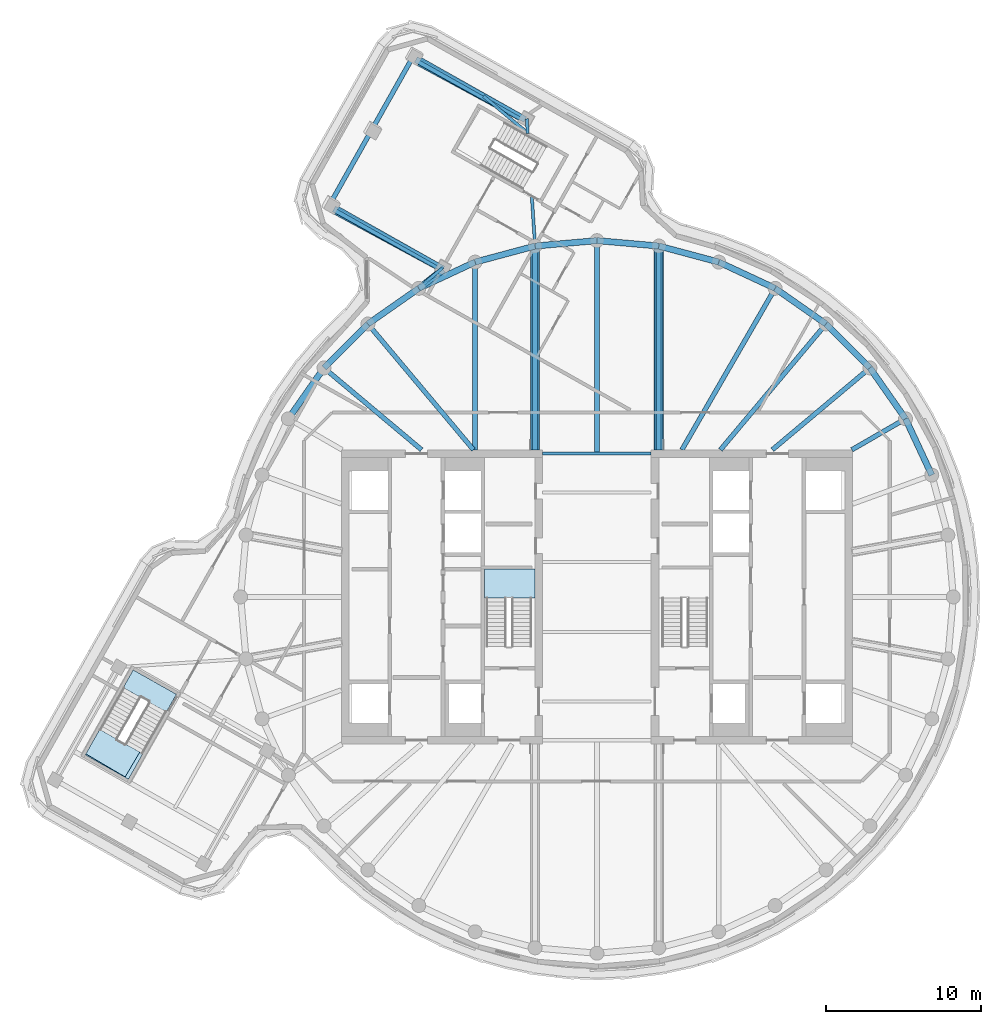
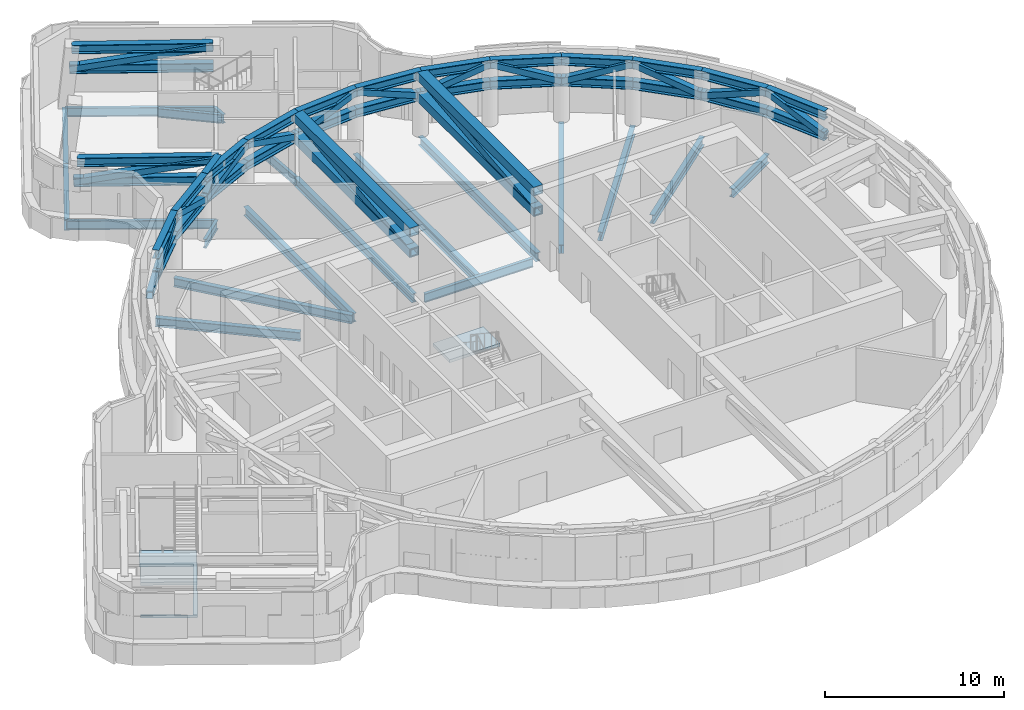
# One storey, part 3 of 15: 52 members, 19 beams, 3 slabs, 2 elements without a shape of their own.
"""IFC4 building model written with IfcOpenShell, lengths in metres."""

from ifc_helpers import new_model, si_unit, direction, frame, origin, origin_2d, place, context, subcontext, project, spatial, polyline, hollow_rectangle, i_section, outline, extrude, material, layer, layer_set, material_profile, profile_set, type_object, element, aggregate, save


model = new_model("IFC4")

# Units and contexts
model_context = context("Model", 3, precision=1e-05, world=origin(), true_north=direction((0.0, 1.0)))
body_context = subcontext(model_context, "Body", "Model", "MODEL_VIEW")
ifc_project = project(units=[si_unit("LENGTHUNIT", "METRE"), si_unit("AREAUNIT", "SQUARE_METRE"), si_unit("VOLUMEUNIT", "CUBIC_METRE"), si_unit("PLANEANGLEUNIT", "RADIAN"), si_unit("MASSUNIT", "GRAM", prefix="KILO")], contexts=[model_context])

# Site, building, storey
site_placement = place(None, origin())
site = spatial("IfcSite", under=ifc_project, at=site_placement, CompositionType="ELEMENT")
building_placement = place(site_placement, origin())
building = spatial("IfcBuilding", under=site, at=building_placement, Name="Tamarind Cross Interchange Tower", CompositionType="ELEMENT")
storey_placement = place(building_placement, frame((0.0, 0.0, 252.300048828125)))
storey = spatial("IfcBuildingStorey", under=building, at=storey_placement, Name="L64", CompositionType="ELEMENT", Elevation=252.300048828125)

# Beams
ifc_material_1 = material(Name="Steel Q355B", Category="steel")
ifc_material_profile_1 = material_profile(ifc_material_1, i_section(OverallWidth=0.302001953125, OverallDepth=0.593994140625, WebThickness=0.013916015625, FlangeThickness=0.02294921875, FilletRadius=0.01806640625, at=origin_2d()), Name="HM 594x302x14x23")
ifc_profile_set_1 = profile_set([ifc_material_profile_1], Name="Steel Q355B")
beam_type_1 = type_object("IfcBeamType", Name="Composite beam HM 594x302x14x23 Q355B", PredefinedType="BEAM", material=ifc_profile_set_1)
beam_1_placement = place(storey_placement, frame((19.918701171875, 11.5, -0.47705078125), z_axis=(-0.866026010844, -0.49999894854, 0.0), x_axis=(0.49999894854, -0.866026010844, 0.0)))
element("IfcBeam", 1, at=beam_1_placement, inside=storey, type_object=beam_type_1, Name="Beam HH03", PredefinedType="BEAM", context=body_context, shape_type="SweptSolid", body=[
    extrude(i_section(OverallWidth=0.302001953125, OverallDepth=0.593994140625, WebThickness=0.013916015625, FlangeThickness=0.02294921875, FilletRadius=0.01806640625, at=origin_2d()), origin(), (0.0, 0.0, 1.0), 4.0),
])
beam_2_placement = place(storey_placement, frame((17.619140625, 14.7841796875, -0.47705078125), z_axis=(-0.766040580814, -0.642792212574, 0.0), x_axis=(0.642792212574, -0.766040580814, 0.0)))
element("IfcBeam", 2, at=beam_2_placement, inside=storey, type_object=beam_type_1, Name="Beam HH04", PredefinedType="BEAM", context=body_context, shape_type="SweptSolid", body=[
    extrude(i_section(OverallWidth=0.302001953125, OverallDepth=0.593994140625, WebThickness=0.013916015625, FlangeThickness=0.02294921875, FilletRadius=0.01806640625, at=origin_2d()), origin(), (0.0, 0.0, 1.0), 8.220703125),
])
beam_3_placement = place(storey_placement, frame((14.7841796875, 17.619140625, -0.47705078125), z_axis=(-0.642786293979, -0.766045547127, 0.0), x_axis=(0.766045547127, -0.642786293979, 0.0)))
element("IfcBeam", 3, at=beam_3_placement, inside=storey, type_object=beam_type_1, Name="Beam HH05", PredefinedType="BEAM", context=body_context, shape_type="SweptSolid", body=[
    extrude(i_section(OverallWidth=0.302001953125, OverallDepth=0.593994140625, WebThickness=0.013916015625, FlangeThickness=0.02294921875, FilletRadius=0.01806640625, at=origin_2d()), origin(), (0.0, 0.0, 1.0), 10.598876953125),
])
beam_4_placement = place(storey_placement, frame((11.5, 19.918701171875, -0.47705078125), z_axis=(-0.499993565836, -0.866029118519, 0.0), x_axis=(0.866029118519, -0.499993565836, 0.0)))
element("IfcBeam", 4, at=beam_4_placement, inside=storey, type_object=beam_type_1, Name="Beam HH06", PredefinedType="BEAM", context=body_context, shape_type="SweptSolid", body=[
    extrude(i_section(OverallWidth=0.302001953125, OverallDepth=0.593994140625, WebThickness=0.013916015625, FlangeThickness=0.02294921875, FilletRadius=0.01806640625, at=origin_2d()), origin(), (0.0, 0.0, 1.0), 12.030517578125),
])
beam_5_placement = place(storey_placement, frame((3.993896484375, 22.650634765625, -0.47705078125), z_axis=(0.0, -1.0, 0.0), x_axis=(1.0, 0.0, 0.0)))
element("IfcBeam", 5, at=beam_5_placement, inside=storey, type_object=beam_type_1, Name="Beam HH08", PredefinedType="BEAM", context=body_context, shape_type="SweptSolid", body=[
    extrude(i_section(OverallWidth=0.302001953125, OverallDepth=0.593994140625, WebThickness=0.013916015625, FlangeThickness=0.02294921875, FilletRadius=0.01806640625, at=origin_2d()), origin(), (0.0, 0.0, 1.0), 13.150634765625),
])
beam_6_placement = place(storey_placement, frame((0.0, 23.0, -0.47705078125), z_axis=(0.0, -1.0, 0.0), x_axis=(1.0, 0.0, 0.0)))
element("IfcBeam", 6, at=beam_6_placement, inside=storey, type_object=beam_type_1, Name="Beam HH09", PredefinedType="BEAM", context=body_context, shape_type="SweptSolid", body=[
    extrude(i_section(OverallWidth=0.302001953125, OverallDepth=0.593994140625, WebThickness=0.013916015625, FlangeThickness=0.02294921875, FilletRadius=0.01806640625, at=origin_2d()), origin(), (0.0, 0.0, 1.0), 13.75),
])
beam_7_placement = place(storey_placement, frame((-3.993896484375, 22.650634765625, -0.47705078125), z_axis=(0.0, -1.0, 0.0), x_axis=(1.0, 0.0, 0.0)))
element("IfcBeam", 7, at=beam_7_placement, inside=storey, type_object=beam_type_1, Name="Beam HH10", PredefinedType="BEAM", context=body_context, shape_type="SweptSolid", body=[
    extrude(i_section(OverallWidth=0.302001953125, OverallDepth=0.593994140625, WebThickness=0.013916015625, FlangeThickness=0.02294921875, FilletRadius=0.01806640625, at=origin_2d()), origin(), (0.0, 0.0, 1.0), 13.150634765625),
])
beam_8_placement = place(storey_placement, frame((-7.866455078125, 21.613037109375, -0.47705078125), z_axis=(0.0, -1.0, 0.0), x_axis=(1.0, 0.0, 0.0)))
element("IfcBeam", 8, at=beam_8_placement, inside=storey, type_object=beam_type_1, Name="Beam HH11", PredefinedType="BEAM", context=body_context, shape_type="SweptSolid", body=[
    extrude(i_section(OverallWidth=0.302001953125, OverallDepth=0.593994140625, WebThickness=0.013916015625, FlangeThickness=0.02294921875, FilletRadius=0.01806640625, at=origin_2d()), origin(), (0.0, 0.0, 1.0), 12.113037109375),
])
beam_9_placement = place(storey_placement, frame((-14.7841796875, 17.619140625, -0.47705078125), z_axis=(0.642786293979, -0.766045547127, 0.0), x_axis=(0.766045547127, 0.642786293979, 0.0)))
element("IfcBeam", 9, at=beam_9_placement, inside=storey, type_object=beam_type_1, Name="Beam HH13", PredefinedType="BEAM", context=body_context, shape_type="SweptSolid", body=[
    extrude(i_section(OverallWidth=0.302001953125, OverallDepth=0.593994140625, WebThickness=0.013916015625, FlangeThickness=0.02294921875, FilletRadius=0.01806640625, at=origin_2d()), origin(), (0.0, 0.0, 1.0), 10.598876953125),
])
beam_10_placement = place(storey_placement, frame((-17.619140625, 14.7841796875, -0.47705078125), z_axis=(0.766040580814, -0.642792212574, 0.0), x_axis=(0.642792212574, 0.766040580814, 0.0)))
element("IfcBeam", 10, at=beam_10_placement, inside=storey, type_object=beam_type_1, Name="Beam HH14", PredefinedType="BEAM", context=body_context, shape_type="SweptSolid", body=[
    extrude(i_section(OverallWidth=0.302001953125, OverallDepth=0.593994140625, WebThickness=0.013916015625, FlangeThickness=0.02294921875, FilletRadius=0.01806640625, at=origin_2d()), origin(), (0.0, 0.0, 1.0), 8.220703125),
])
ifc_material_profile_2 = material_profile(ifc_material_1, i_section(OverallWidth=0.198974609375, OverallDepth=0.595947265625, WebThickness=0.010009765625, FlangeThickness=0.014892578125, FilletRadius=0.012939453125, at=origin_2d()), Name="HN 596x199x10x15")
ifc_profile_set_2 = profile_set([ifc_material_profile_2], Name="Steel Q355B")
beam_type_2 = type_object("IfcBeamType", Name="Composite beam HN 596x199x10x15 Q355B", PredefinedType="BEAM", material=ifc_profile_set_2)
beam_11_placement = place(storey_placement, frame((-3.5, 9.25, -0.47802734375), z_axis=(1.0, 0.0, 0.0), x_axis=(0.0, 1.0, 0.0)))
element("IfcBeam", 11, at=beam_11_placement, inside=storey, type_object=beam_type_2, Name="Beam G9.25", PredefinedType="BEAM", context=body_context, shape_type="SweptSolid", body=[
    extrude(i_section(OverallWidth=0.198974609375, OverallDepth=0.595947265625, WebThickness=0.010009765625, FlangeThickness=0.014892578125, FilletRadius=0.012939453125, at=origin_2d()), origin(), (0.0, 0.0, 1.0), 7.0),
])
ifc_material_profile_3 = material_profile(ifc_material_1, i_section(OverallWidth=0.199951171875, OverallDepth=0.60009765625, WebThickness=0.010986328125, FlangeThickness=0.01708984375, FilletRadius=0.012939453125, at=origin_2d()), Name="HN 600x200x11x17")
ifc_profile_set_3 = profile_set([ifc_material_profile_3], Name="Steel Q355B")
beam_type_3 = type_object("IfcBeamType", Name="Composite beam HN 600x200x11x17 Q355B", PredefinedType="BEAM", material=ifc_profile_set_3)
beam_12_placement = place(storey_placement, frame((-11.815673828125, 34.971435546875, -0.47998046875), z_axis=(0.871193986473, -0.490938935036, 0.0), x_axis=(0.490938935036, 0.871193986473, 0.0)))
element("IfcBeam", 12, at=beam_12_placement, inside=storey, type_object=beam_type_3, Name="Beam N-edgeem4", PredefinedType="BEAM", context=body_context, shape_type="SweptSolid", body=[
    extrude(i_section(OverallWidth=0.199951171875, OverallDepth=0.60009765625, WebThickness=0.010986328125, FlangeThickness=0.01708984375, FilletRadius=0.012939453125, at=origin_2d()), origin(), (0.0, 0.0, 1.0), 8.362060546875),
])
beam_13_placement = place(storey_placement, frame((-17.2158203125, 25.38818359375, -0.47998046875), z_axis=(0.871199437095, -0.490929262528, 0.0), x_axis=(0.490929262528, 0.871199437095, 0.0)))
element("IfcBeam", 13, at=beam_13_placement, inside=storey, type_object=beam_type_3, Name="Beam N-edgeep2", PredefinedType="BEAM", context=body_context, shape_type="SweptSolid", body=[
    extrude(i_section(OverallWidth=0.199951171875, OverallDepth=0.60009765625, WebThickness=0.010986328125, FlangeThickness=0.01708984375, FilletRadius=0.012939453125, at=origin_2d()), origin(), (0.0, 0.0, 1.0), 8.361572265625),
])
beam_14_placement = place(storey_placement, frame((-4.53076171875, 30.8662109375, -0.47998046875), z_axis=(0.065162111713, -0.99787469113, 0.0), x_axis=(0.99787469113, 0.065162111713, 0.0)))
element("IfcBeam", 14, at=beam_14_placement, inside=storey, type_object=beam_type_3, Name="Beam N-linkemt0", PredefinedType="BEAM", context=body_context, shape_type="SweptSolid", body=[
    extrude(i_section(OverallWidth=0.199951171875, OverallDepth=0.60009765625, WebThickness=0.010986328125, FlangeThickness=0.01708984375, FilletRadius=0.012939453125, at=origin_2d()), origin(), (0.0, 0.0, 1.0), 0.955322265625),
])
beam_15_placement = place(storey_placement, frame((-4.20361328125, 25.861083984375, -0.47998046875), z_axis=(0.065184267428, -0.997873244095, 0.0), x_axis=(0.997873244095, 0.065184267428, 0.0)))
element("IfcBeam", 15, at=beam_15_placement, inside=storey, type_object=beam_type_3, Name="Beam N-linkemt1", PredefinedType="BEAM", context=body_context, shape_type="SweptSolid", body=[
    extrude(i_section(OverallWidth=0.199951171875, OverallDepth=0.60009765625, WebThickness=0.010986328125, FlangeThickness=0.01708984375, FilletRadius=0.012939453125, at=origin_2d()), origin(), (0.0, 0.0, 1.0), 3.21728515625),
])
beam_16_placement = place(storey_placement, frame((-9.93115234375, 21.283203125, -0.47998046875), z_axis=(-0.754537265667, -0.656257201652, 0.0), x_axis=(0.656257201652, -0.754537265667, 0.0)))
element("IfcBeam", 16, at=beam_16_placement, inside=storey, type_object=beam_type_3, Name="Beam N-linkep", PredefinedType="BEAM", context=body_context, shape_type="SweptSolid", body=[
    extrude(i_section(OverallWidth=0.199951171875, OverallDepth=0.60009765625, WebThickness=0.010986328125, FlangeThickness=0.01708984375, FilletRadius=0.012939453125, at=origin_2d()), origin(), (0.0, 0.0, 1.0), 2.0791015625),
])
beam_17_placement = place(storey_placement, frame((-4.576416015625, 30.03125, -0.47998046875), z_axis=(-0.767589218557, 0.640942112483, 0.0), x_axis=(-0.640942112483, -0.767589218557, 0.0)))
element("IfcBeam", 17, at=beam_17_placement, inside=storey, type_object=beam_type_3, Name="Beam N-tr0s1", PredefinedType="BEAM", context=body_context, shape_type="SweptSolid", body=[
    extrude(i_section(OverallWidth=0.199951171875, OverallDepth=0.60009765625, WebThickness=0.010986328125, FlangeThickness=0.01708984375, FilletRadius=0.012939453125, at=origin_2d()), origin(), (0.0, 0.0, 1.0), 3.579833984375),
])
ifc_material_profile_4 = material_profile(ifc_material_1, i_section(OverallWidth=0.300048828125, OverallDepth=0.699951171875, WebThickness=0.012939453125, FlangeThickness=0.02392578125, FilletRadius=0.01806640625, at=origin_2d()), Name="HN 700x300x13x24")
ifc_profile_set_4 = profile_set([ifc_material_profile_4], Name="Steel Q355B")
beam_type_4 = type_object("IfcBeamType", Name="Composite beam HN 700x300x13x24 Q355B", PredefinedType="BEAM", material=ifc_profile_set_4)
for number, where, z_axis, x_axis, name in (
    (18, (-11.815673828125, 34.971435546875, -0.530029296875), (-0.490895460937, -0.871218483752, 0.0), (0.871218483752, -0.490895460937, 0.0), "Beam N-tip0"),
    (19, (-14.515625, 30.1796875, -0.530029296875), (-0.490948137037, -0.871188800858, 0.0), (0.871188800858, -0.490948137037, 0.0), "Beam N-tip1"),
):
    element("IfcBeam", number, at=place(storey_placement, frame(where, z_axis=z_axis, x_axis=x_axis)), inside=storey, type_object=beam_type_4, Name=name, PredefinedType="BEAM", context=body_context, shape_type="SweptSolid", body=[
        extrude(i_section(OverallWidth=0.300048828125, OverallDepth=0.699951171875, WebThickness=0.012939453125, FlangeThickness=0.02392578125, FilletRadius=0.01806640625, at=origin_2d()), origin(), (0.0, 0.0, 1.0), 5.5),
    ])

# Members
ifc_material_2 = material(Name="Steel Q420B", Category="steel")
ifc_material_profile_5 = material_profile(ifc_material_2, i_section(OverallWidth=0.39990234375, OverallDepth=0.60009765625, WebThickness=0.02490234375, FlangeThickness=0.0400390625, at=origin_2d()), Name="BH 600x400x25x40")
ifc_profile_set_5 = profile_set([ifc_material_profile_5], Name="Steel Q420B")
member_type_1 = type_object("IfcMemberType", Name="Truss chord BH 600x400x25x40 Q420B", PredefinedType="CHORD", material=ifc_profile_set_5)
for number, where, z_axis, x_axis, name in (
    (20, (21.613037109375, 7.866455078125, 4.06005859375), (-0.422615416827, 0.906309113636, 0.0), (-0.906309113636, -0.422615416827, 0.0), "Belt truss ring top H02"),
    (21, (21.613037109375, 7.866455078125, 2.64990234375), (-0.422615416827, 0.906309113636, 0.0), (-0.906309113636, -0.422615416827, 0.0), "Belt truss ring bottom H02"),
    (22, (19.918701171875, 11.5, 4.06005859375), (-0.573568599011, 0.819157531998, 0.0), (-0.819157531998, -0.573568599011, 0.0), "Belt truss ring top H03"),
    (23, (19.918701171875, 11.5, 2.64990234375), (-0.573568599011, 0.819157531998, 0.0), (-0.819157531998, -0.573568599011, 0.0), "Belt truss ring bottom H03"),
    (24, (17.619140625, 14.7841796875, 4.06005859375), (-0.707106781187, 0.707106781187, 0.0), (-0.707106781187, -0.707106781187, 0.0), "Belt truss ring top H04"),
    (25, (17.619140625, 14.7841796875, 2.64990234375), (-0.707106781187, 0.707106781187, 0.0), (-0.707106781187, -0.707106781187, 0.0), "Belt truss ring bottom H04"),
    (26, (14.7841796875, 17.619140625, 4.06005859375), (-0.819157531998, 0.573568599011, 0.0), (-0.573568599011, -0.819157531998, 0.0), "Belt truss ring top H05"),
    (27, (14.7841796875, 17.619140625, 2.64990234375), (-0.819157531998, 0.573568599011, 0.0), (-0.573568599011, -0.819157531998, 0.0), "Belt truss ring bottom H05"),
    (28, (11.5, 19.918701171875, 4.06005859375), (-0.906309113636, 0.422615416827, 0.0), (-0.422615416827, -0.906309113636, 0.0), "Belt truss ring top H06"),
    (29, (11.5, 19.918701171875, 2.64990234375), (-0.906309113636, 0.422615416827, 0.0), (-0.422615416827, -0.906309113636, 0.0), "Belt truss ring bottom H06"),
):
    element("IfcMember", number, at=place(storey_placement, frame(where, z_axis=z_axis, x_axis=x_axis)), inside=storey, type_object=member_type_1, Name=name, PredefinedType="CHORD", context=body_context, shape_type="SweptSolid", body=[
        extrude(i_section(OverallWidth=0.39990234375, OverallDepth=0.60009765625, WebThickness=0.02490234375, FlangeThickness=0.0400390625, at=origin_2d()), origin(), (0.0, 0.0, 1.0), 4.00927734375),
    ])
for number, where, z_axis, x_axis, name in (
    (30, (7.866455078125, 21.613037109375, 4.06005859375), (-0.96592902462, 0.258807108475, 0.0), (-0.258807108475, -0.96592902462, 0.0), "Belt truss ring top H07"),
    (31, (7.866455078125, 21.613037109375, 2.64990234375), (-0.96592902462, 0.258807108475, 0.0), (-0.258807108475, -0.96592902462, 0.0), "Belt truss ring bottom H07"),
    (32, (3.993896484375, 22.650634765625, 4.06005859375), (-0.996195898445, 0.087142021558, 0.0), (-0.087142021558, -0.996195898445, 0.0), "Belt truss ring top H08"),
    (33, (3.993896484375, 22.650634765625, 2.64990234375), (-0.996195898445, 0.087142021558, 0.0), (-0.087142021558, -0.996195898445, 0.0), "Belt truss ring bottom H08"),
    (34, (0.0, 23.0, 4.06005859375), (-0.996195898445, -0.087142021558, 0.0), (0.087142021558, -0.996195898445, 0.0), "Belt truss ring top H09"),
    (35, (0.0, 23.0, 2.64990234375), (-0.996195898445, -0.087142021558, 0.0), (0.087142021558, -0.996195898445, 0.0), "Belt truss ring bottom H09"),
    (36, (-3.993896484375, 22.650634765625, 4.06005859375), (-0.96592902462, -0.258807108475, 0.0), (0.258807108475, -0.96592902462, 0.0), "Belt truss ring top H10"),
    (37, (-3.993896484375, 22.650634765625, 2.64990234375), (-0.96592902462, -0.258807108475, 0.0), (0.258807108475, -0.96592902462, 0.0), "Belt truss ring bottom H10"),
):
    element("IfcMember", number, at=place(storey_placement, frame(where, z_axis=z_axis, x_axis=x_axis)), inside=storey, type_object=member_type_1, Name=name, PredefinedType="CHORD", context=body_context, shape_type="SweptSolid", body=[
        extrude(i_section(OverallWidth=0.39990234375, OverallDepth=0.60009765625, WebThickness=0.02490234375, FlangeThickness=0.0400390625, at=origin_2d()), origin(), (0.0, 0.0, 1.0), 4.009033203125),
    ])
for number, where, z_axis, x_axis, name in (
    (38, (-7.866455078125, 21.613037109375, 4.06005859375), (-0.906309113636, -0.422615416827, 0.0), (0.422615416827, -0.906309113636, 0.0), "Belt truss ring top H11"),
    (39, (-7.866455078125, 21.613037109375, 2.64990234375), (-0.906309113636, -0.422615416827, 0.0), (0.422615416827, -0.906309113636, 0.0), "Belt truss ring bottom H11"),
    (40, (-11.5, 19.918701171875, 4.06005859375), (-0.819157531998, -0.573568599011, 0.0), (0.573568599011, -0.819157531998, 0.0), "Belt truss ring top H12"),
    (41, (-11.5, 19.918701171875, 2.64990234375), (-0.819157531998, -0.573568599011, 0.0), (0.573568599011, -0.819157531998, 0.0), "Belt truss ring bottom H12"),
    (42, (-14.7841796875, 17.619140625, 4.06005859375), (-0.707106781187, -0.707106781187, 0.0), (0.707106781187, -0.707106781187, 0.0), "Belt truss ring top H13"),
    (43, (-14.7841796875, 17.619140625, 2.64990234375), (-0.707106781187, -0.707106781187, 0.0), (0.707106781187, -0.707106781187, 0.0), "Belt truss ring bottom H13"),
):
    element("IfcMember", number, at=place(storey_placement, frame(where, z_axis=z_axis, x_axis=x_axis)), inside=storey, type_object=member_type_1, Name=name, PredefinedType="CHORD", context=body_context, shape_type="SweptSolid", body=[
        extrude(i_section(OverallWidth=0.39990234375, OverallDepth=0.60009765625, WebThickness=0.02490234375, FlangeThickness=0.0400390625, at=origin_2d()), origin(), (0.0, 0.0, 1.0), 4.00927734375),
    ])
member_1_placement = place(storey_placement, frame((-16.857421875, 24.871337890625, 4.06005859375), z_axis=(0.87939504944, -0.476092792447, 0.0), x_axis=(0.476092792447, 0.87939504944, 0.0)))
element("IfcMember", 44, at=member_1_placement, inside=storey, type_object=member_type_1, Name="Belt truss arm Nep top", PredefinedType="CHORD", context=body_context, shape_type="SweptSolid", body=[
    extrude(i_section(OverallWidth=0.39990234375, OverallDepth=0.60009765625, WebThickness=0.02490234375, FlangeThickness=0.0400390625, at=origin_2d()), origin(), (0.0, 0.0, 1.0), 7.89208984375),
])
member_2_placement = place(storey_placement, frame((-16.9765625, 25.043212890625, 2.64990234375), z_axis=(0.876597370258, -0.481224532268, 0.0), x_axis=(0.481224532268, 0.876597370258, 0.0)))
element("IfcMember", 45, at=member_2_placement, inside=storey, type_object=member_type_1, Name="Belt truss arm Nep bottom", PredefinedType="CHORD", context=body_context, shape_type="SweptSolid", body=[
    extrude(i_section(OverallWidth=0.39990234375, OverallDepth=0.60009765625, WebThickness=0.02490234375, FlangeThickness=0.0400390625, at=origin_2d()), origin(), (0.0, 0.0, 1.0), 8.0478515625),
])
member_3_placement = place(storey_placement, frame((-9.917236328125, 21.114013671875, 4.06005859375), z_axis=(-0.798001501245, -0.60265546045, 0.0), x_axis=(0.60265546045, -0.798001501245, 0.0)))
element("IfcMember", 46, at=member_3_placement, inside=storey, type_object=member_type_1, Name="Belt truss arm Nep top", PredefinedType="CHORD", context=body_context, shape_type="SweptSolid", body=[
    extrude(i_section(OverallWidth=0.39990234375, OverallDepth=0.60009765625, WebThickness=0.02490234375, FlangeThickness=0.0400390625, at=origin_2d()), origin(), (0.0, 0.0, 1.0), 1.9833984375),
])
member_4_placement = place(storey_placement, frame((-9.921875, 21.17041015625, 2.64990234375), z_axis=(-0.783475295292, -0.621422933007, 0.0), x_axis=(0.621422933007, -0.783475295292, 0.0)))
element("IfcMember", 47, at=member_4_placement, inside=storey, type_object=member_type_1, Name="Belt truss arm Nep bottom", PredefinedType="CHORD", context=body_context, shape_type="SweptSolid", body=[
    extrude(i_section(OverallWidth=0.39990234375, OverallDepth=0.60009765625, WebThickness=0.02490234375, FlangeThickness=0.0400390625, at=origin_2d()), origin(), (0.0, 0.0, 1.0), 2.01416015625),
])
member_5_placement = place(storey_placement, frame((-11.62109375, 34.544921875, 4.06005859375), z_axis=(0.879400989468, -0.476081820408, 0.0), x_axis=(0.476081820408, 0.879400989468, 0.0)))
element("IfcMember", 48, at=member_5_placement, inside=storey, type_object=member_type_1, Name="Belt truss arm Nem top", PredefinedType="CHORD", context=body_context, shape_type="SweptSolid", body=[
    extrude(i_section(OverallWidth=0.39990234375, OverallDepth=0.60009765625, WebThickness=0.02490234375, FlangeThickness=0.0400390625, at=origin_2d()), origin(), (0.0, 0.0, 1.0), 7.8916015625),
])
member_6_placement = place(storey_placement, frame((-11.685791015625, 34.686767578125, 2.64990234375), z_axis=(0.876597370258, -0.481224532268, 0.0), x_axis=(0.481224532268, 0.876597370258, 0.0)))
element("IfcMember", 49, at=member_6_placement, inside=storey, type_object=member_type_1, Name="Belt truss arm Nem bottom", PredefinedType="CHORD", context=body_context, shape_type="SweptSolid", body=[
    extrude(i_section(OverallWidth=0.39990234375, OverallDepth=0.60009765625, WebThickness=0.02490234375, FlangeThickness=0.0400390625, at=origin_2d()), origin(), (0.0, 0.0, 1.0), 8.0478515625),
])
ifc_material_profile_6 = material_profile(ifc_material_2, hollow_rectangle(XDim=0.60009765625, YDim=0.60009765625, WallThickness=0.0400390625, at=origin_2d()), Name="BOX 600x600x40")
ifc_profile_set_6 = profile_set([ifc_material_profile_6], Name="Steel Q420B")
member_type_2 = type_object("IfcMemberType", Name="Truss chord BOX 600x600x40 Q420B", PredefinedType="CHORD", material=ifc_profile_set_6)
for number, where, z_axis, x_axis, name in (
    (50, (3.993896484375, 9.5, 4.06005859375), (0.0, 1.0, 0.0), (-1.0, 0.0, 0.0), "Outrigger truss H08 top"),
    (51, (3.993896484375, 9.5, 2.64990234375), (0.0, 1.0, 0.0), (-1.0, 0.0, 0.0), "Outrigger truss H08 bottom"),
    (52, (-3.993896484375, 9.5, 4.06005859375), (0.0, 1.0, 0.0), (-1.0, 0.0, 0.0), "Outrigger truss H10 top"),
    (53, (-3.993896484375, 9.5, 2.64990234375), (0.0, 1.0, 0.0), (-1.0, 0.0, 0.0), "Outrigger truss H10 bottom"),
):
    element("IfcMember", number, at=place(storey_placement, frame(where, z_axis=z_axis, x_axis=x_axis)), inside=storey, type_object=member_type_2, Name=name, PredefinedType="CHORD", context=body_context, shape_type="SweptSolid", body=[
        extrude(hollow_rectangle(XDim=0.60009765625, YDim=0.60009765625, WallThickness=0.0400390625, at=origin_2d()), origin(), (0.0, 0.0, 1.0), 13.150634765625),
    ])
ifc_material_profile_7 = material_profile(ifc_material_2, hollow_rectangle(XDim=0.39990234375, YDim=0.39990234375, WallThickness=0.02490234375, at=origin_2d()), Name="BOX 400x400x25")
ifc_profile_set_7 = profile_set([ifc_material_profile_7], Name="Steel Q420B")
member_type_3 = type_object("IfcMemberType", Name="Truss diagonal BOX 400x400x25 Q420B", PredefinedType="BRACE", material=ifc_profile_set_7)
for number, where, z_axis, x_axis, name in (
    (54, (21.613037109375, 7.866455078125, 2.64990234375), (-0.398673198935, 0.854964440887, 0.33180639727), (-0.906309113636, -0.422615416827, 0.0), "Belt truss ring diagonal H02"),
    (55, (19.918701171875, 11.5, 4.06005859375), (-0.541075232991, 0.772751251109, -0.331802797086), (-0.819157531998, -0.573568599011, 0.0), "Belt truss ring diagonal H03"),
    (56, (17.619140625, 14.7841796875, 2.64990234375), (-0.667048751873, 0.667048751873, 0.331801032623), (-0.707106781187, -0.707106781187, 0.0), "Belt truss ring diagonal H04"),
    (57, (14.7841796875, 17.619140625, 4.06005859375), (-0.772751251109, 0.541075232991, -0.331802797086), (-0.573568599011, -0.819157531998, 0.0), "Belt truss ring diagonal H05"),
    (58, (11.5, 19.918701171875, 2.64990234375), (-0.854964440887, 0.398673198935, 0.33180639727), (-0.422615416827, -0.906309113636, 0.0), "Belt truss ring diagonal H06"),
    (59, (7.866455078125, 21.613037109375, 4.06005859375), (-0.911206410564, 0.244144953026, -0.33180735263), (-0.258807108475, -0.96592902462, 0.0), "Belt truss ring diagonal H07"),
    (60, (3.993896484375, 22.650634765625, 2.64990234375), (-0.939758407255, 0.082205164178, 0.331807846464), (-0.087142021558, -0.996195898445, 0.0), "Belt truss ring diagonal H08"),
    (61, (0.0, 23.0, 4.06005859375), (-0.939758407255, -0.082205164178, -0.331807846464), (0.087142021558, -0.996195898445, 0.0), "Belt truss ring diagonal H09"),
    (62, (-3.993896484375, 22.650634765625, 2.64990234375), (-0.911206410564, -0.244144953026, 0.33180735263), (0.258807108475, -0.96592902462, 0.0), "Belt truss ring diagonal H10"),
    (63, (-7.866455078125, 21.613037109375, 4.06005859375), (-0.854964440887, -0.398673198935, -0.33180639727), (0.422615416827, -0.906309113636, 0.0), "Belt truss ring diagonal H11"),
    (64, (-11.5, 19.918701171875, 2.64990234375), (-0.772751251109, -0.541075232991, 0.331802797086), (0.573568599011, -0.819157531998, 0.0), "Belt truss ring diagonal H12"),
    (65, (-14.7841796875, 17.619140625, 4.06005859375), (-0.667048751873, -0.667048751873, -0.331801032623), (0.707106781187, -0.707106781187, 0.0), "Belt truss ring diagonal H13"),
    (66, (-17.619140625, 14.7841796875, 2.64990234375), (-0.541075232991, -0.772751251109, 0.331802797086), (0.819157531998, -0.573568599011, 0.0), "Belt truss ring diagonal H14"),
):
    element("IfcMember", number, at=place(storey_placement, frame(where, z_axis=z_axis, x_axis=x_axis)), inside=storey, type_object=member_type_3, Name=name, PredefinedType="BRACE", context=body_context, shape_type="SweptSolid", body=[
        extrude(hollow_rectangle(XDim=0.39990234375, YDim=0.39990234375, WallThickness=0.02490234375, at=origin_2d()), origin(), (0.0, 0.0, 1.0), 4.25),
    ])
member_7_placement = place(storey_placement, frame((-16.9765625, 25.043212890625, 2.64990234375), z_axis=(0.86075754065, -0.479094997725, 0.1719431283), x_axis=(0.486338090349, 0.873770714705, 0.0)))
element("IfcMember", 67, at=member_7_placement, inside=storey, type_object=member_type_3, Name="Belt truss arm Nep diagonal", PredefinedType="BRACE", context=body_context, shape_type="SweptSolid", body=[
    extrude(hollow_rectangle(XDim=0.39990234375, YDim=0.39990234375, WallThickness=0.02490234375, at=origin_2d()), origin(), (0.0, 0.0, 1.0), 8.201416015625),
])
member_8_placement = place(storey_placement, frame((-9.917236328125, 21.114013671875, 4.06005859375), z_axis=(-0.65037710601, -0.491168642762, -0.579450588356), x_axis=(0.60265546045, -0.798001501245, 0.0)))
element("IfcMember", 68, at=member_8_placement, inside=storey, type_object=member_type_3, Name="Belt truss arm Nep diagonal", PredefinedType="BRACE", context=body_context, shape_type="SweptSolid", body=[
    extrude(hollow_rectangle(XDim=0.39990234375, YDim=0.39990234375, WallThickness=0.02490234375, at=origin_2d()), origin(), (0.0, 0.0, 1.0), 2.43359375),
])
member_9_placement = place(storey_placement, frame((-11.685791015625, 34.686767578125, 2.64990234375), z_axis=(0.860549776162, -0.478999683709, 0.17324371779), x_axis=(0.486353847746, 0.873761944, 0.0)))
element("IfcMember", 69, at=member_9_placement, inside=storey, type_object=member_type_3, Name="Belt truss arm Nem diagonal", PredefinedType="BRACE", context=body_context, shape_type="SweptSolid", body=[
    extrude(hollow_rectangle(XDim=0.39990234375, YDim=0.39990234375, WallThickness=0.02490234375, at=origin_2d()), origin(), (0.0, 0.0, 1.0), 8.1396484375),
])
ifc_material_profile_8 = material_profile(ifc_material_2, hollow_rectangle(XDim=0.5, YDim=0.5, WallThickness=0.030029296875, at=origin_2d()), Name="BOX 500x500x30")
ifc_profile_set_8 = profile_set([ifc_material_profile_8], Name="Steel Q420B")
member_type_4 = type_object("IfcMemberType", Name="Truss diagonal BOX 500x500x30 Q420B", PredefinedType="BRACE", material=ifc_profile_set_8)
for number, where, z_axis, x_axis, name in (
    (70, (3.993896484375, 9.5, 2.64990234375), (0.0, 0.994299862393, 0.106619808877), (-1.0, 0.0, 0.0), "Outrigger truss H08 diagonal"),
    (71, (-3.993896484375, 9.5, 2.64990234375), (0.0, 0.994299862393, 0.106619808877), (-1.0, 0.0, 0.0), "Outrigger truss H10 diagonal"),
):
    element("IfcMember", number, at=place(storey_placement, frame(where, z_axis=z_axis, x_axis=x_axis)), inside=storey, type_object=member_type_4, Name=name, PredefinedType="BRACE", context=body_context, shape_type="SweptSolid", body=[
        extrude(hollow_rectangle(XDim=0.5, YDim=0.5, WallThickness=0.030029296875, at=origin_2d()), origin(), (0.0, 0.0, 1.0), 13.22607421875),
    ])

# Slab
ifc_material_3 = material(Name="Concrete C40", Category="concrete")
ifc_layer_1 = layer(ifc_material_3, 0.179931640625)
ifc_layer_set_1 = layer_set([ifc_layer_1], Name="Concrete C40")
slab_type_1 = type_object("IfcSlabType", Name="Composite slab 180 Concrete C40", PredefinedType="FLOOR", material=ifc_layer_set_1)
slab_1_placement = place(storey_placement, frame((0.0, 0.0, -0.179931640625)))
element("IfcSlab", 72, at=slab_1_placement, inside=storey, type_object=slab_type_1, Name="Floor slab L64", PredefinedType="FLOOR", context=body_context, shape_type="SweptSolid", body=[
    extrude(outline(polyline([(-33.02783203125, -10.199951171875), (-30.239990234375, -11.77099609375), (-27.147216796875, -6.2822265625), (-29.934814453125, -4.711181640625), (-30.5791015625, -5.854248046875), (-27.939453125, -7.341796875), (-30.453125, -11.61865234375), (-32.98779296875, -10.12890625), (-33.02783203125, -10.199951171875)])), origin(), (0.0, 0.0, 1.0), 0.179931640625),
])

# Stair, slab
ifc_material_4 = material(Name="Exit stair")
stair_type = type_object("IfcStairType", Name="Exit stair", PredefinedType="HALF_TURN_STAIR", material=ifc_material_4)
stair_1_placement = place(storey_placement, origin())
stair_1 = element("IfcStair", 73, at=stair_1_placement, inside=storey, type_object=stair_type, Name="L64 exit stair ST1", PredefinedType="HALF_TURN_STAIR")
ifc_layer_2 = layer(ifc_material_3, 0.199951171875)
ifc_layer_set_2 = layer_set([ifc_layer_2], Name="Concrete C40")
slab_type_2 = type_object("IfcSlabType", Name="Stair landing", PredefinedType="LANDING", material=ifc_layer_set_2)
slab_2_placement = place(storey_placement, frame((0.0, 0.0, 2.050048828125)))
slab_2 = element("IfcSlab", 74, at=slab_2_placement, type_object=slab_type_2, Name="ST1 landing 1", PredefinedType="LANDING", context=body_context, shape_type="SweptSolid", body=[
    extrude(outline(polyline([(-4.0, -0.080078125), (-4.0, 1.800048828125), (-7.25, 1.800048828125), (-7.25, -0.080078125), (-4.0, -0.080078125)])), origin(), (0.0, 0.0, 1.0), 0.199951171875),
])
aggregate(stair_1, [slab_2])

stair_2_placement = place(storey_placement, origin())
stair_2 = element("IfcStair", 75, at=stair_2_placement, inside=storey, type_object=stair_type, Name="L64 exit stair ST5", PredefinedType="HALF_TURN_STAIR")
slab_3_placement = place(storey_placement, frame((0.0, 0.0, 2.050048828125)))
slab_3 = element("IfcSlab", 76, at=slab_3_placement, type_object=slab_type_2, Name="ST5 landing 1", PredefinedType="LANDING", context=body_context, shape_type="SweptSolid", body=[
    extrude(outline(polyline([(-32.098876953125, -8.551513671875), (-33.02783203125, -10.199951171875), (-30.239990234375, -11.770751953125), (-29.31103515625, -10.12255859375), (-32.098876953125, -8.551513671875)])), origin(), (0.0, 0.0, 1.0), 0.199951171875),
])
aggregate(stair_2, [slab_3])

save(model, "model.ifc")
